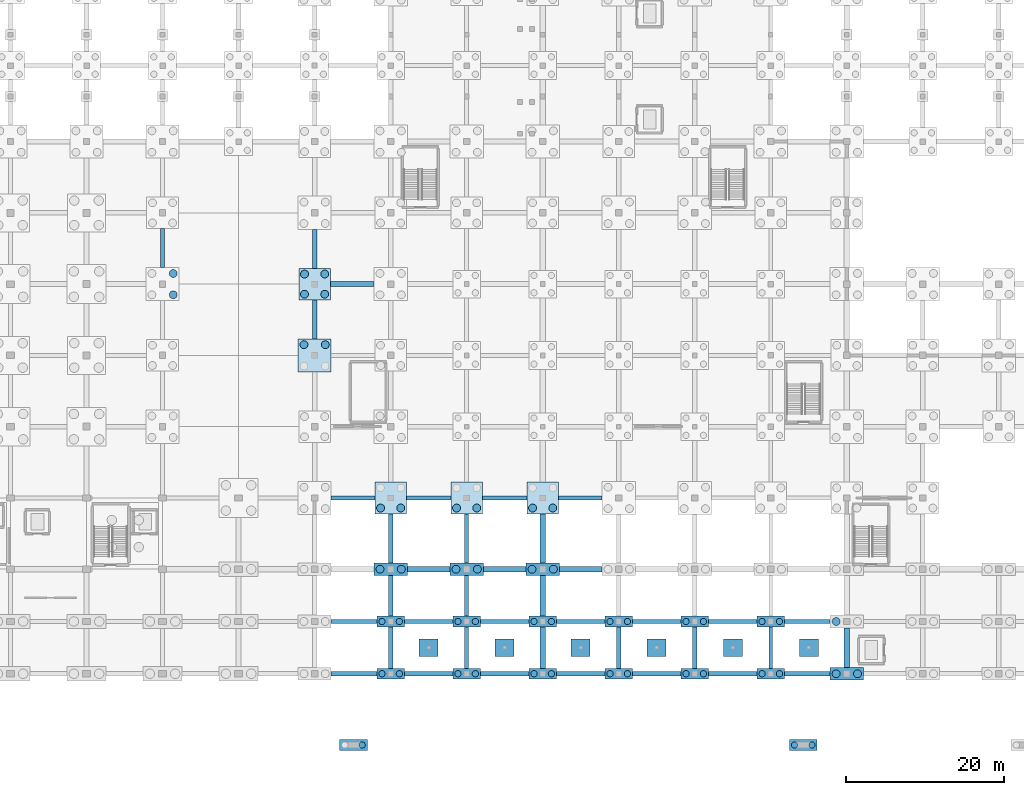
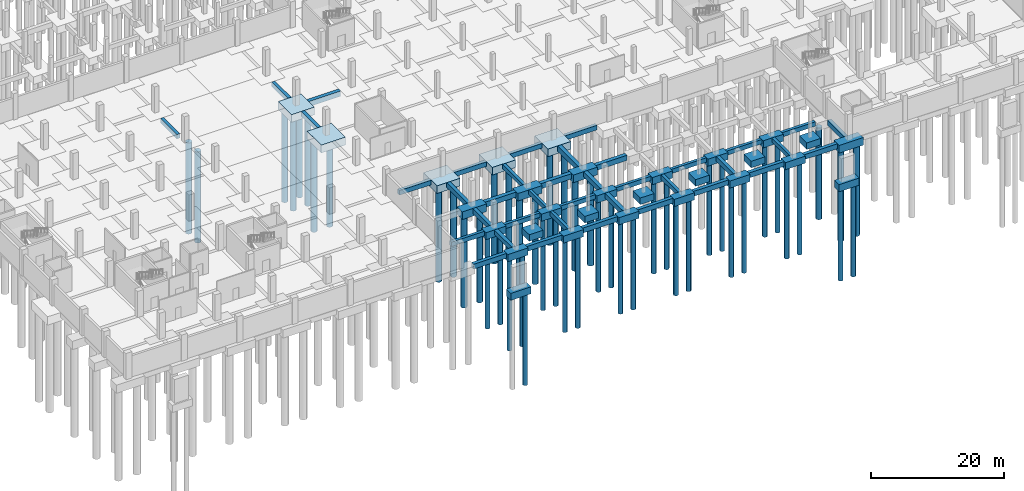
# One storey, part 3 of 39: 67 footings, 50 piles.
"""IFC4 building model written with IfcOpenShell, lengths in metres."""

from ifc_helpers import new_model, si_unit, direction, frame, origin, origin_2d, place, context, subcontext, project, spatial, polyline, rectangle, circle, outline, extrude, material, material_profile, profile_set, type_object, element, save


model = new_model("IFC4")

# Units and contexts
model_context = context("Model", 3, precision=1e-05, world=origin(), true_north=direction((0.0, 1.0)))
body_context = subcontext(model_context, "Body", "Model", "MODEL_VIEW")
ifc_project = project(units=[si_unit("LENGTHUNIT", "METRE"), si_unit("AREAUNIT", "SQUARE_METRE"), si_unit("VOLUMEUNIT", "CUBIC_METRE"), si_unit("PLANEANGLEUNIT", "RADIAN"), si_unit("MASSUNIT", "GRAM", prefix="KILO")], contexts=[model_context])

# Site, building, storey
site_placement = place(None, origin())
site = spatial("IfcSite", under=ifc_project, at=site_placement, CompositionType="ELEMENT")
building_placement = place(site_placement, origin())
building = spatial("IfcBuilding", under=site, at=building_placement, Name="Zarnetskaya Central Station", CompositionType="ELEMENT")
storey_placement = place(building_placement, frame((0.0, 0.0, -4.800048828125)))
storey = spatial("IfcBuildingStorey", under=building, at=storey_placement, Name="B1", CompositionType="ELEMENT", Elevation=-4.800048828125)

# Footings
ifc_material_1 = material(Name="Concrete C30/37", Category="concrete")
footing_type_1 = type_object("IfcFootingType", Name="FB-500x800", PredefinedType="FOOTING_BEAM", material=ifc_material_1)
footing_1_placement = place(storey_placement, frame((0.0, 0.0, -0.800048828125)))
element("IfcFooting", 1, at=footing_1_placement, inside=storey, type_object=footing_type_1, Name="Footing tie beam 2 G-H", PredefinedType="FOOTING_BEAM", context=body_context, shape_type="SweptSolid", body=[
    extrude(outline(polyline([(59.699951171875, 6.35009765625), (65.449951171875, 6.35009765625), (65.449951171875, 6.85009765625), (59.699951171875, 6.85009765625), (59.699951171875, 6.35009765625)])), origin(), (0.0, 0.0, 1.0), 0.800048828125),
])
footing_2_placement = place(storey_placement, frame((0.0, 0.0, -0.800048828125)))
element("IfcFooting", 2, at=footing_2_placement, inside=storey, type_object=footing_type_1, Name="Footing tie beam 2 H-J", PredefinedType="FOOTING_BEAM", context=body_context, shape_type="SweptSolid", body=[
    extrude(outline(polyline([(68.949951171875, 6.35009765625), (75.050048828125, 6.35009765625), (75.050048828125, 6.85009765625), (68.949951171875, 6.85009765625), (68.949951171875, 6.35009765625)])), origin(), (0.0, 0.0, 1.0), 0.800048828125),
])
footing_3_placement = place(storey_placement, frame((0.0, 0.0, -0.800048828125)))
element("IfcFooting", 3, at=footing_3_placement, inside=storey, type_object=footing_type_1, Name="Footing tie beam 2 J-K", PredefinedType="FOOTING_BEAM", context=body_context, shape_type="SweptSolid", body=[
    extrude(outline(polyline([(78.550048828125, 6.35009765625), (84.64990234375, 6.35009765625), (84.64990234375, 6.85009765625), (78.550048828125, 6.85009765625), (78.550048828125, 6.35009765625)])), origin(), (0.0, 0.0, 1.0), 0.800048828125),
])
footing_4_placement = place(storey_placement, frame((0.0, 0.0, -0.800048828125)))
element("IfcFooting", 4, at=footing_4_placement, inside=storey, type_object=footing_type_1, Name="Footing tie beam 2 K-L", PredefinedType="FOOTING_BEAM", context=body_context, shape_type="SweptSolid", body=[
    extrude(outline(polyline([(88.14990234375, 6.35009765625), (94.25, 6.35009765625), (94.25, 6.85009765625), (88.14990234375, 6.85009765625), (88.14990234375, 6.35009765625)])), origin(), (0.0, 0.0, 1.0), 0.800048828125),
])
footing_5_placement = place(storey_placement, frame((0.0, 0.0, -0.800048828125)))
element("IfcFooting", 5, at=footing_5_placement, inside=storey, type_object=footing_type_1, Name="Footing tie beam 2 L-M", PredefinedType="FOOTING_BEAM", context=body_context, shape_type="SweptSolid", body=[
    extrude(outline(polyline([(97.75, 6.35009765625), (103.85009765625, 6.35009765625), (103.85009765625, 6.85009765625), (97.75, 6.85009765625), (97.75, 6.35009765625)])), origin(), (0.0, 0.0, 1.0), 0.800048828125),
])
footing_6_placement = place(storey_placement, frame((0.0, 0.0, -0.800048828125)))
element("IfcFooting", 6, at=footing_6_placement, inside=storey, type_object=footing_type_1, Name="Footing tie beam 2 M-N", PredefinedType="FOOTING_BEAM", context=body_context, shape_type="SweptSolid", body=[
    extrude(outline(polyline([(107.35009765625, 6.35009765625), (113.449951171875, 6.35009765625), (113.449951171875, 6.85009765625), (107.35009765625, 6.85009765625), (107.35009765625, 6.35009765625)])), origin(), (0.0, 0.0, 1.0), 0.800048828125),
])
footing_7_placement = place(storey_placement, frame((0.0, 0.0, -0.800048828125)))
element("IfcFooting", 7, at=footing_7_placement, inside=storey, type_object=footing_type_1, Name="Footing tie beam 2 N-P", PredefinedType="FOOTING_BEAM", context=body_context, shape_type="SweptSolid", body=[
    extrude(outline(polyline([(116.949951171875, 6.35009765625), (122.699951171875, 6.35009765625), (122.699951171875, 6.85009765625), (116.949951171875, 6.85009765625), (116.949951171875, 6.35009765625)])), origin(), (0.0, 0.0, 1.0), 0.800048828125),
])
footing_8_placement = place(storey_placement, frame((0.0, 0.0, -0.800048828125)))
element("IfcFooting", 8, at=footing_8_placement, inside=storey, type_object=footing_type_1, Name="Footing tie beam E 7-8", PredefinedType="FOOTING_BEAM", context=body_context, shape_type="SweptSolid", body=[
    extrude(outline(polyline([(38.14990234375, 51.300048828125), (38.64990234375, 51.300048828125), (38.64990234375, 56.199951171875), (38.14990234375, 56.199951171875), (38.14990234375, 51.300048828125)])), origin(), (0.0, 0.0, 1.0), 0.800048828125),
])
footing_9_placement = place(storey_placement, frame((0.0, 0.0, -0.800048828125)))
element("IfcFooting", 9, at=footing_9_placement, inside=storey, type_object=footing_type_1, Name="Footing tie beam J 1-2", PredefinedType="FOOTING_BEAM", context=body_context, shape_type="SweptSolid", body=[
    extrude(outline(polyline([(76.550048828125, 0.675048828125), (77.050048828125, 0.675048828125), (77.050048828125, 5.925048828125), (76.550048828125, 5.925048828125), (76.550048828125, 0.675048828125)])), origin(), (0.0, 0.0, 1.0), 0.800048828125),
])
footing_10_placement = place(storey_placement, frame((0.0, 0.0, -0.800048828125)))
element("IfcFooting", 10, at=footing_10_placement, inside=storey, type_object=footing_type_1, Name="Footing tie beam J 2-3", PredefinedType="FOOTING_BEAM", context=body_context, shape_type="SweptSolid", body=[
    extrude(outline(polyline([(76.550048828125, 7.27490234375), (77.050048828125, 7.27490234375), (77.050048828125, 12.39990234375), (76.550048828125, 12.39990234375), (76.550048828125, 7.27490234375)])), origin(), (0.0, 0.0, 1.0), 0.800048828125),
])
footing_11_placement = place(storey_placement, frame((0.0, 0.0, -0.800048828125)))
element("IfcFooting", 11, at=footing_11_placement, inside=storey, type_object=footing_type_1, Name="Footing tie beam J 3-4", PredefinedType="FOOTING_BEAM", context=body_context, shape_type="SweptSolid", body=[
    extrude(outline(polyline([(76.550048828125, 14.0), (77.050048828125, 14.0), (77.050048828125, 20.199951171875), (76.550048828125, 20.199951171875), (76.550048828125, 14.0)])), origin(), (0.0, 0.0, 1.0), 0.800048828125),
])
footing_12_placement = place(storey_placement, frame((0.0, 0.0, -0.800048828125)))
element("IfcFooting", 12, at=footing_12_placement, inside=storey, type_object=footing_type_1, Name="Footing tie beam N 1-2", PredefinedType="FOOTING_BEAM", context=body_context, shape_type="SweptSolid", body=[
    extrude(outline(polyline([(114.949951171875, 0.675048828125), (115.449951171875, 0.675048828125), (115.449951171875, 5.925048828125), (114.949951171875, 5.925048828125), (114.949951171875, 0.675048828125)])), origin(), (0.0, 0.0, 1.0), 0.800048828125),
])
footing_type_2 = type_object("IfcFootingType", Name="FB-550x850", PredefinedType="FOOTING_BEAM", material=ifc_material_1)
footing_13_placement = place(storey_placement, frame((0.0, 0.0, -0.849853515625)))
element("IfcFooting", 13, at=footing_13_placement, inside=storey, type_object=footing_type_2, Name="Footing tie beam 4 G-H", PredefinedType="FOOTING_BEAM", context=body_context, shape_type="SweptSolid", body=[
    extrude(outline(polyline([(59.699951171875, 21.925048828125), (65.199951171875, 21.925048828125), (65.199951171875, 22.47509765625), (59.699951171875, 22.47509765625), (59.699951171875, 21.925048828125)])), origin(), (0.0, 0.0, 1.0), 0.849853515625),
])
footing_14_placement = place(storey_placement, frame((0.0, 0.0, -0.849853515625)))
element("IfcFooting", 14, at=footing_14_placement, inside=storey, type_object=footing_type_2, Name="Footing tie beam 4 H-J", PredefinedType="FOOTING_BEAM", context=body_context, shape_type="SweptSolid", body=[
    extrude(outline(polyline([(69.199951171875, 21.925048828125), (74.800048828125, 21.925048828125), (74.800048828125, 22.47509765625), (69.199951171875, 22.47509765625), (69.199951171875, 21.925048828125)])), origin(), (0.0, 0.0, 1.0), 0.849853515625),
])
footing_15_placement = place(storey_placement, frame((0.0, 0.0, -0.849853515625)))
element("IfcFooting", 15, at=footing_15_placement, inside=storey, type_object=footing_type_2, Name="Footing tie beam 4 J-K", PredefinedType="FOOTING_BEAM", context=body_context, shape_type="SweptSolid", body=[
    extrude(outline(polyline([(78.800048828125, 21.925048828125), (84.39990234375, 21.925048828125), (84.39990234375, 22.47509765625), (78.800048828125, 22.47509765625), (78.800048828125, 21.925048828125)])), origin(), (0.0, 0.0, 1.0), 0.849853515625),
])
footing_16_placement = place(storey_placement, frame((0.0, 0.0, -0.849853515625)))
element("IfcFooting", 16, at=footing_16_placement, inside=storey, type_object=footing_type_2, Name="Footing tie beam 4 K-L", PredefinedType="FOOTING_BEAM", context=body_context, shape_type="SweptSolid", body=[
    extrude(outline(polyline([(88.39990234375, 21.925048828125), (93.89990234375, 21.925048828125), (93.89990234375, 22.47509765625), (88.39990234375, 22.47509765625), (88.39990234375, 21.925048828125)])), origin(), (0.0, 0.0, 1.0), 0.849853515625),
])
footing_17_placement = place(storey_placement, frame((0.0, 0.0, -0.849853515625)))
element("IfcFooting", 17, at=footing_17_placement, inside=storey, type_object=footing_type_2, Name="Footing tie beam G 6-7", PredefinedType="FOOTING_BEAM", context=body_context, shape_type="SweptSolid", body=[
    extrude(outline(polyline([(57.324951171875, 42.300048828125), (57.875, 42.300048828125), (57.875, 47.199951171875), (57.324951171875, 47.199951171875), (57.324951171875, 42.300048828125)])), origin(), (0.0, 0.0, 1.0), 0.849853515625),
])
footing_18_placement = place(storey_placement, frame((0.0, 0.0, -0.849853515625)))
element("IfcFooting", 18, at=footing_18_placement, inside=storey, type_object=footing_type_2, Name="Footing tie beam G 7-8", PredefinedType="FOOTING_BEAM", context=body_context, shape_type="SweptSolid", body=[
    extrude(outline(polyline([(57.324951171875, 51.199951171875), (57.875, 51.199951171875), (57.875, 56.10009765625), (57.324951171875, 56.10009765625), (57.324951171875, 51.199951171875)])), origin(), (0.0, 0.0, 1.0), 0.849853515625),
])
footing_19_placement = place(storey_placement, frame((0.0, 0.0, -0.849853515625)))
element("IfcFooting", 19, at=footing_19_placement, inside=storey, type_object=footing_type_2, Name="Footing tie beam L 1-2", PredefinedType="FOOTING_BEAM", context=body_context, shape_type="SweptSolid", body=[
    extrude(outline(polyline([(95.72509765625, 0.675048828125), (96.27490234375, 0.675048828125), (96.27490234375, 5.925048828125), (95.72509765625, 5.925048828125), (95.72509765625, 0.675048828125)])), origin(), (0.0, 0.0, 1.0), 0.849853515625),
])
footing_type_3 = type_object("IfcFootingType", Name="FB-600x900", PredefinedType="FOOTING_BEAM", material=ifc_material_1)
footing_20_placement = place(storey_placement, frame((0.0, 0.0, -0.89990234375)))
element("IfcFooting", 20, at=footing_20_placement, inside=storey, type_object=footing_type_3, Name="Footing tie beam 1 G-H", PredefinedType="FOOTING_BEAM", context=body_context, shape_type="SweptSolid", body=[
    extrude(outline(polyline([(59.699951171875, -0.300048828125), (65.449951171875, -0.300048828125), (65.449951171875, 0.300048828125), (59.699951171875, 0.300048828125), (59.699951171875, -0.300048828125)])), origin(), (0.0, 0.0, 1.0), 0.89990234375),
])
footing_21_placement = place(storey_placement, frame((0.0, 0.0, -0.89990234375)))
element("IfcFooting", 21, at=footing_21_placement, inside=storey, type_object=footing_type_3, Name="Footing tie beam 1 H-J", PredefinedType="FOOTING_BEAM", context=body_context, shape_type="SweptSolid", body=[
    extrude(outline(polyline([(68.949951171875, -0.300048828125), (75.050048828125, -0.300048828125), (75.050048828125, 0.300048828125), (68.949951171875, 0.300048828125), (68.949951171875, -0.300048828125)])), origin(), (0.0, 0.0, 1.0), 0.89990234375),
])
footing_22_placement = place(storey_placement, frame((0.0, 0.0, -0.89990234375)))
element("IfcFooting", 22, at=footing_22_placement, inside=storey, type_object=footing_type_3, Name="Footing tie beam 1 J-K", PredefinedType="FOOTING_BEAM", context=body_context, shape_type="SweptSolid", body=[
    extrude(outline(polyline([(78.550048828125, -0.300048828125), (84.64990234375, -0.300048828125), (84.64990234375, 0.300048828125), (78.550048828125, 0.300048828125), (78.550048828125, -0.300048828125)])), origin(), (0.0, 0.0, 1.0), 0.89990234375),
])
footing_23_placement = place(storey_placement, frame((0.0, 0.0, -0.89990234375)))
element("IfcFooting", 23, at=footing_23_placement, inside=storey, type_object=footing_type_3, Name="Footing tie beam 1 K-L", PredefinedType="FOOTING_BEAM", context=body_context, shape_type="SweptSolid", body=[
    extrude(outline(polyline([(88.14990234375, -0.300048828125), (94.25, -0.300048828125), (94.25, 0.300048828125), (88.14990234375, 0.300048828125), (88.14990234375, -0.300048828125)])), origin(), (0.0, 0.0, 1.0), 0.89990234375),
])
footing_24_placement = place(storey_placement, frame((0.0, 0.0, -0.89990234375)))
element("IfcFooting", 24, at=footing_24_placement, inside=storey, type_object=footing_type_3, Name="Footing tie beam 1 L-M", PredefinedType="FOOTING_BEAM", context=body_context, shape_type="SweptSolid", body=[
    extrude(outline(polyline([(97.75, -0.300048828125), (103.85009765625, -0.300048828125), (103.85009765625, 0.300048828125), (97.75, 0.300048828125), (97.75, -0.300048828125)])), origin(), (0.0, 0.0, 1.0), 0.89990234375),
])
footing_25_placement = place(storey_placement, frame((0.0, 0.0, -0.89990234375)))
element("IfcFooting", 25, at=footing_25_placement, inside=storey, type_object=footing_type_3, Name="Footing tie beam 1 M-N", PredefinedType="FOOTING_BEAM", context=body_context, shape_type="SweptSolid", body=[
    extrude(outline(polyline([(107.35009765625, -0.300048828125), (113.449951171875, -0.300048828125), (113.449951171875, 0.300048828125), (107.35009765625, 0.300048828125), (107.35009765625, -0.300048828125)])), origin(), (0.0, 0.0, 1.0), 0.89990234375),
])
footing_26_placement = place(storey_placement, frame((0.0, 0.0, -0.89990234375)))
element("IfcFooting", 26, at=footing_26_placement, inside=storey, type_object=footing_type_3, Name="Footing tie beam 1 N-P", PredefinedType="FOOTING_BEAM", context=body_context, shape_type="SweptSolid", body=[
    extrude(outline(polyline([(116.949951171875, -0.300048828125), (122.699951171875, -0.300048828125), (122.699951171875, 0.300048828125), (116.949951171875, 0.300048828125), (116.949951171875, -0.300048828125)])), origin(), (0.0, 0.0, 1.0), 0.89990234375),
])
footing_27_placement = place(storey_placement, frame((0.0, 0.0, -0.89990234375)))
element("IfcFooting", 27, at=footing_27_placement, inside=storey, type_object=footing_type_3, Name="Footing tie beam H 1-2", PredefinedType="FOOTING_BEAM", context=body_context, shape_type="SweptSolid", body=[
    extrude(outline(polyline([(66.89990234375, 0.675048828125), (67.5, 0.675048828125), (67.5, 5.925048828125), (66.89990234375, 5.925048828125), (66.89990234375, 0.675048828125)])), origin(), (0.0, 0.0, 1.0), 0.89990234375),
])
footing_28_placement = place(storey_placement, frame((0.0, 0.0, -0.89990234375)))
element("IfcFooting", 28, at=footing_28_placement, inside=storey, type_object=footing_type_3, Name="Footing tie beam H 2-3", PredefinedType="FOOTING_BEAM", context=body_context, shape_type="SweptSolid", body=[
    extrude(outline(polyline([(66.89990234375, 7.27490234375), (67.5, 7.27490234375), (67.5, 12.39990234375), (66.89990234375, 12.39990234375), (66.89990234375, 7.27490234375)])), origin(), (0.0, 0.0, 1.0), 0.89990234375),
])
footing_29_placement = place(storey_placement, frame((0.0, 0.0, -0.89990234375)))
element("IfcFooting", 29, at=footing_29_placement, inside=storey, type_object=footing_type_3, Name="Footing tie beam H 3-4", PredefinedType="FOOTING_BEAM", context=body_context, shape_type="SweptSolid", body=[
    extrude(outline(polyline([(66.89990234375, 14.0), (67.5, 14.0), (67.5, 20.199951171875), (66.89990234375, 20.199951171875), (66.89990234375, 14.0)])), origin(), (0.0, 0.0, 1.0), 0.89990234375),
])
footing_30_placement = place(storey_placement, frame((0.0, 0.0, -0.89990234375)))
element("IfcFooting", 30, at=footing_30_placement, inside=storey, type_object=footing_type_3, Name="Footing tie beam M 1-2", PredefinedType="FOOTING_BEAM", context=body_context, shape_type="SweptSolid", body=[
    extrude(outline(polyline([(105.300048828125, 0.675048828125), (105.89990234375, 0.675048828125), (105.89990234375, 5.925048828125), (105.300048828125, 5.925048828125), (105.300048828125, 0.675048828125)])), origin(), (0.0, 0.0, 1.0), 0.89990234375),
])
footing_type_4 = type_object("IfcFootingType", Name="FB-650x950", PredefinedType="FOOTING_BEAM", material=ifc_material_1)
footing_31_placement = place(storey_placement, frame((0.0, 0.0, -0.949951171875)))
element("IfcFooting", 31, at=footing_31_placement, inside=storey, type_object=footing_type_4, Name="Footing tie beam 3 H-J", PredefinedType="FOOTING_BEAM", context=body_context, shape_type="SweptSolid", body=[
    extrude(outline(polyline([(69.300048828125, 12.875), (74.699951171875, 12.875), (74.699951171875, 13.52490234375), (69.300048828125, 13.52490234375), (69.300048828125, 12.875)])), origin(), (0.0, 0.0, 1.0), 0.949951171875),
])
footing_32_placement = place(storey_placement, frame((0.0, 0.0, -0.949951171875)))
element("IfcFooting", 32, at=footing_32_placement, inside=storey, type_object=footing_type_4, Name="Footing tie beam 3 J-K", PredefinedType="FOOTING_BEAM", context=body_context, shape_type="SweptSolid", body=[
    extrude(outline(polyline([(78.89990234375, 12.875), (84.300048828125, 12.875), (84.300048828125, 13.52490234375), (78.89990234375, 13.52490234375), (78.89990234375, 12.875)])), origin(), (0.0, 0.0, 1.0), 0.949951171875),
])
footing_33_placement = place(storey_placement, frame((0.0, 0.0, -0.949951171875)))
element("IfcFooting", 33, at=footing_33_placement, inside=storey, type_object=footing_type_4, Name="Footing tie beam 3 K-L", PredefinedType="FOOTING_BEAM", context=body_context, shape_type="SweptSolid", body=[
    extrude(outline(polyline([(88.5, 12.875), (93.89990234375, 12.875), (93.89990234375, 13.52490234375), (88.5, 13.52490234375), (88.5, 12.875)])), origin(), (0.0, 0.0, 1.0), 0.949951171875),
])
footing_34_placement = place(storey_placement, frame((0.0, 0.0, -0.949951171875)))
element("IfcFooting", 34, at=footing_34_placement, inside=storey, type_object=footing_type_4, Name="Footing tie beam 7 G-H", PredefinedType="FOOTING_BEAM", context=body_context, shape_type="SweptSolid", body=[
    extrude(outline(polyline([(59.60009765625, 48.875), (65.10009765625, 48.875), (65.10009765625, 49.52490234375), (59.60009765625, 49.52490234375), (59.60009765625, 48.875)])), origin(), (0.0, 0.0, 1.0), 0.949951171875),
])
footing_35_placement = place(storey_placement, frame((0.0, 0.0, -0.949951171875)))
element("IfcFooting", 35, at=footing_35_placement, inside=storey, type_object=footing_type_4, Name="Footing tie beam K 1-2", PredefinedType="FOOTING_BEAM", context=body_context, shape_type="SweptSolid", body=[
    extrude(outline(polyline([(86.074951171875, 0.675048828125), (86.72509765625, 0.675048828125), (86.72509765625, 5.925048828125), (86.074951171875, 5.925048828125), (86.074951171875, 0.675048828125)])), origin(), (0.0, 0.0, 1.0), 0.949951171875),
])
footing_36_placement = place(storey_placement, frame((0.0, 0.0, -0.949951171875)))
element("IfcFooting", 36, at=footing_36_placement, inside=storey, type_object=footing_type_4, Name="Footing tie beam K 2-3", PredefinedType="FOOTING_BEAM", context=body_context, shape_type="SweptSolid", body=[
    extrude(outline(polyline([(86.074951171875, 7.27490234375), (86.72509765625, 7.27490234375), (86.72509765625, 12.39990234375), (86.074951171875, 12.39990234375), (86.074951171875, 7.27490234375)])), origin(), (0.0, 0.0, 1.0), 0.949951171875),
])
footing_37_placement = place(storey_placement, frame((0.0, 0.0, -0.949951171875)))
element("IfcFooting", 37, at=footing_37_placement, inside=storey, type_object=footing_type_4, Name="Footing tie beam K 3-4", PredefinedType="FOOTING_BEAM", context=body_context, shape_type="SweptSolid", body=[
    extrude(outline(polyline([(86.074951171875, 14.0), (86.72509765625, 14.0), (86.72509765625, 20.199951171875), (86.074951171875, 20.199951171875), (86.074951171875, 14.0)])), origin(), (0.0, 0.0, 1.0), 0.949951171875),
])
footing_38_placement = place(storey_placement, frame((0.0, 0.0, -0.949951171875)))
element("IfcFooting", 38, at=footing_38_placement, inside=storey, type_object=footing_type_4, Name="Footing tie beam P 1-2", PredefinedType="FOOTING_BEAM", context=body_context, shape_type="SweptSolid", body=[
    extrude(outline(polyline([(124.47509765625, 0.800048828125), (125.125, 0.800048828125), (125.125, 5.800048828125), (124.47509765625, 5.800048828125), (124.47509765625, 0.800048828125)])), origin(), (0.0, 0.0, 1.0), 0.949951171875),
])
ifc_material_2 = material(Name="Concrete C35/45", Category="concrete")
footing_type_5 = type_object("IfcFootingType", Name="PAD-RAMP-220", PredefinedType="PAD_FOOTING", material=ifc_material_2)
for number, where, z_axis, x_axis, name in (
    (39, (72.0, 3.300048828125, -1.19970703125), (0.0, 0.0, 1.0), (1.0, 0.0, 0.0), "Colonnade pilaster pad footing 1"),
    (40, (81.60009765625, 3.300048828125, -1.19970703125), (0.0, 0.0, 1.0), (1.0, 0.0, 0.0), "Colonnade pilaster pad footing 2"),
    (41, (91.199951171875, 3.300048828125, -1.19970703125), (0.0, 0.0, 1.0), (1.0, 0.0, 0.0), "Colonnade pilaster pad footing 3"),
    (42, (100.800048828125, 3.300048828125, -1.19970703125), (0.0, 0.0, 1.0), (1.0, 0.0, 0.0), "Colonnade pilaster pad footing 4"),
    (43, (110.39990234375, 3.300048828125, -1.19970703125), (0.0, 0.0, 1.0), (1.0, 0.0, 0.0), "Colonnade pilaster pad footing 5"),
    (44, (120.0, 3.300048828125, -1.19970703125), (0.0, 0.0, 1.0), (1.0, 0.0, 0.0), "Colonnade pilaster pad footing 6"),
):
    element("IfcFooting", number, at=place(storey_placement, frame(where, z_axis=z_axis, x_axis=x_axis)), inside=storey, type_object=footing_type_5, Name=name, PredefinedType="PAD_FOOTING", context=body_context, shape_type="SweptSolid", body=[
        extrude(rectangle(XDim=2.39990234375, YDim=2.199951171875, at=origin_2d()), origin(), (0.0, 0.0, 1.0), 1.199951171875),
    ])
footing_type_6 = type_object("IfcFootingType", Name="PC-2P-1000X", PredefinedType="PILE_CAP", material=ifc_material_2)
for number, where, z_axis, x_axis, name in (
    (45, (67.199951171875, 13.199951171875, -1.39990234375), (0.0, 0.0, 1.0), (1.0, 0.0, 0.0), "Pile cap H3"),
    (46, (76.800048828125, 13.199951171875, -1.39990234375), (0.0, 0.0, 1.0), (1.0, 0.0, 0.0), "Pile cap J3"),
    (47, (86.39990234375, 13.199951171875, -1.39990234375), (0.0, 0.0, 1.0), (1.0, 0.0, 0.0), "Pile cap K3"),
    (48, (124.800048828125, 0.0, -1.39990234375), (0.0, 0.0, 1.0), (1.0, 0.0, 0.0), "Pile cap P1"),
):
    element("IfcFooting", number, at=place(storey_placement, frame(where, z_axis=z_axis, x_axis=x_axis)), inside=storey, type_object=footing_type_6, Name=name, PredefinedType="PILE_CAP", context=body_context, shape_type="SweptSolid", body=[
        extrude(rectangle(XDim=4.199951171875, YDim=1.60009765625, at=origin_2d()), origin(), (0.0, 0.0, 1.0), 1.39990234375),
    ])
footing_type_7 = type_object("IfcFootingType", Name="PC-2P-800X", PredefinedType="PILE_CAP", material=ifc_material_2)
for number, where, z_axis, x_axis, name in (
    (49, (62.5, -9.0, -1.2998046875), (0.0, 0.0, 1.0), (1.0, 0.0, 0.0), "Ramp pier two-pile cap RM-02"),
    (50, (119.300048828125, -9.0, -1.2998046875), (0.0, 0.0, 1.0), (1.0, 0.0, 0.0), "Ramp pier two-pile cap RM-03"),
    (51, (67.199951171875, 0.0, -1.2998046875), (0.0, 0.0, 1.0), (1.0, 0.0, 0.0), "Pile cap H1"),
    (52, (67.199951171875, 6.60009765625, -1.2998046875), (0.0, 0.0, 1.0), (1.0, 0.0, 0.0), "Pile cap H2"),
    (53, (76.800048828125, 0.0, -1.2998046875), (0.0, 0.0, 1.0), (1.0, 0.0, 0.0), "Pile cap J1"),
    (54, (76.800048828125, 6.60009765625, -1.2998046875), (0.0, 0.0, 1.0), (1.0, 0.0, 0.0), "Pile cap J2"),
    (55, (86.39990234375, 0.0, -1.2998046875), (0.0, 0.0, 1.0), (1.0, 0.0, 0.0), "Pile cap K1"),
    (56, (86.39990234375, 6.60009765625, -1.2998046875), (0.0, 0.0, 1.0), (1.0, 0.0, 0.0), "Pile cap K2"),
    (57, (96.0, 0.0, -1.2998046875), (0.0, 0.0, 1.0), (1.0, 0.0, 0.0), "Pile cap L1"),
    (58, (96.0, 6.60009765625, -1.2998046875), (0.0, 0.0, 1.0), (1.0, 0.0, 0.0), "Pile cap L2"),
    (59, (105.60009765625, 0.0, -1.2998046875), (0.0, 0.0, 1.0), (1.0, 0.0, 0.0), "Pile cap M1"),
    (60, (105.60009765625, 6.60009765625, -1.2998046875), (0.0, 0.0, 1.0), (1.0, 0.0, 0.0), "Pile cap M2"),
    (61, (115.199951171875, 0.0, -1.2998046875), (0.0, 0.0, 1.0), (1.0, 0.0, 0.0), "Pile cap N1"),
    (62, (115.199951171875, 6.60009765625, -1.2998046875), (0.0, 0.0, 1.0), (1.0, 0.0, 0.0), "Pile cap N2"),
):
    element("IfcFooting", number, at=place(storey_placement, frame(where, z_axis=z_axis, x_axis=x_axis)), inside=storey, type_object=footing_type_7, Name=name, PredefinedType="PILE_CAP", context=body_context, shape_type="SweptSolid", body=[
        extrude(rectangle(XDim=3.5, YDim=1.35009765625, at=origin_2d()), origin(), (0.0, 0.0, 1.0), 1.300048828125),
    ])
footing_type_8 = type_object("IfcFootingType", Name="PC-4P-1000A", PredefinedType="PILE_CAP", material=ifc_material_2)
footing_39_placement = place(storey_placement, frame((57.60009765625, 40.199951171875, -1.44970703125), z_axis=(0.0, 0.0, 1.0), x_axis=(1.0, 0.0, 0.0)))
element("IfcFooting", 63, at=footing_39_placement, inside=storey, type_object=footing_type_8, Name="Pile cap G6", PredefinedType="PILE_CAP", context=body_context, shape_type="SweptSolid", body=[
    extrude(rectangle(XDim=4.199951171875, YDim=4.199951171875, at=origin_2d()), origin(), (0.0, 0.0, 1.0), 1.449951171875),
])
footing_type_9 = type_object("IfcFootingType", Name="PC-4P-1000B", PredefinedType="PILE_CAP", material=ifc_material_2)
for number, where, z_axis, x_axis, name in (
    (64, (57.60009765625, 49.199951171875, -1.39990234375), (0.0, 0.0, 1.0), (1.0, 0.0, 0.0), "Pile cap G7"),
    (65, (67.199951171875, 22.199951171875, -1.39990234375), (0.0, 0.0, 1.0), (1.0, 0.0, 0.0), "Pile cap H4"),
    (66, (76.800048828125, 22.199951171875, -1.39990234375), (0.0, 0.0, 1.0), (1.0, 0.0, 0.0), "Pile cap J4"),
    (67, (86.39990234375, 22.199951171875, -1.39990234375), (0.0, 0.0, 1.0), (1.0, 0.0, 0.0), "Pile cap K4"),
):
    element("IfcFooting", number, at=place(storey_placement, frame(where, z_axis=z_axis, x_axis=x_axis)), inside=storey, type_object=footing_type_9, Name=name, PredefinedType="PILE_CAP", context=body_context, shape_type="SweptSolid", body=[
        extrude(rectangle(XDim=4.0, YDim=4.0, at=origin_2d()), origin(), (0.0, 0.0, 1.0), 1.39990234375),
    ])

# Piles
ifc_material_profile_1 = material_profile(ifc_material_2, circle(Radius=0.5, at=origin_2d()), Name="BORED PILE D1000")
ifc_profile_set_1 = profile_set([ifc_material_profile_1], Name="Concrete C35/45")
pile_type_1 = type_object("IfcPileType", Name="PILE-D1000", PredefinedType="BORED", material=ifc_profile_set_1)
for number, where, z_axis, x_axis, name in (
    (68, (39.75, 47.85009765625, -1.300048828125), (0.0, 0.0, -1.0), (1.0, 0.0, 0.0), "Bored pile E7-21"),
    (69, (39.75, 50.550048828125, -1.300048828125), (0.0, 0.0, -1.0), (1.0, 0.0, 0.0), "Bored pile E7-22"),
    (70, (56.25, 41.550048828125, -1.300048828125), (0.0, 0.0, -1.0), (1.0, 0.0, 0.0), "Bored pile G6-12"),
    (71, (58.949951171875, 41.550048828125, -1.300048828125), (0.0, 0.0, -1.0), (1.0, 0.0, 0.0), "Bored pile G6-22"),
):
    element("IfcPile", number, at=place(storey_placement, frame(where, z_axis=z_axis, x_axis=x_axis)), inside=storey, type_object=pile_type_1, Name=name, PredefinedType="BORED", context=body_context, shape_type="SweptSolid", body=[
        extrude(circle(Radius=0.5, at=origin_2d()), origin(), (0.0, 0.0, 1.0), 16.699951171875),
    ])
for number, where, z_axis, x_axis, name in (
    (72, (56.324951171875, 47.925048828125, -1.25), (0.0, 0.0, -1.0), (1.0, 0.0, 0.0), "Bored pile G7-11"),
    (73, (56.324951171875, 50.47509765625, -1.25), (0.0, 0.0, -1.0), (1.0, 0.0, 0.0), "Bored pile G7-12"),
    (74, (58.875, 47.925048828125, -1.25), (0.0, 0.0, -1.0), (1.0, 0.0, 0.0), "Bored pile G7-21"),
    (75, (58.875, 50.47509765625, -1.25), (0.0, 0.0, -1.0), (1.0, 0.0, 0.0), "Bored pile G7-22"),
    (76, (65.85009765625, 13.199951171875, -1.25), (0.0, 0.0, -1.0), (1.0, 0.0, 0.0), "Bored pile H3-11"),
    (77, (68.550048828125, 13.199951171875, -1.25), (0.0, 0.0, -1.0), (1.0, 0.0, 0.0), "Bored pile H3-21"),
    (78, (65.925048828125, 20.925048828125, -1.25), (0.0, 0.0, -1.0), (1.0, 0.0, 0.0), "Bored pile H4-11"),
    (79, (68.47509765625, 20.925048828125, -1.25), (0.0, 0.0, -1.0), (1.0, 0.0, 0.0), "Bored pile H4-21"),
    (80, (75.449951171875, 13.199951171875, -1.25), (0.0, 0.0, -1.0), (1.0, 0.0, 0.0), "Bored pile J3-11"),
    (81, (78.14990234375, 13.199951171875, -1.25), (0.0, 0.0, -1.0), (1.0, 0.0, 0.0), "Bored pile J3-21"),
    (82, (75.52490234375, 20.925048828125, -1.25), (0.0, 0.0, -1.0), (1.0, 0.0, 0.0), "Bored pile J4-11"),
    (83, (78.074951171875, 20.925048828125, -1.25), (0.0, 0.0, -1.0), (1.0, 0.0, 0.0), "Bored pile J4-21"),
    (84, (85.050048828125, 13.199951171875, -1.25), (0.0, 0.0, -1.0), (1.0, 0.0, 0.0), "Bored pile K3-11"),
    (85, (87.75, 13.199951171875, -1.25), (0.0, 0.0, -1.0), (1.0, 0.0, 0.0), "Bored pile K3-21"),
    (86, (85.125, 20.925048828125, -1.25), (0.0, 0.0, -1.0), (1.0, 0.0, 0.0), "Bored pile K4-11"),
    (87, (87.675048828125, 20.925048828125, -1.25), (0.0, 0.0, -1.0), (1.0, 0.0, 0.0), "Bored pile K4-21"),
    (88, (123.449951171875, 0.0, -1.25), (0.0, 0.0, -1.0), (1.0, 0.0, 0.0), "Bored pile P1-11"),
    (89, (126.14990234375, 0.0, -1.25), (0.0, 0.0, -1.0), (1.0, 0.0, 0.0), "Bored pile P1-21"),
    (90, (123.449951171875, 6.60009765625, -1.25), (0.0, 0.0, -1.0), (1.0, 0.0, 0.0), "Bored pile P2-11"),
):
    element("IfcPile", number, at=place(storey_placement, frame(where, z_axis=z_axis, x_axis=x_axis)), inside=storey, type_object=pile_type_1, Name=name, PredefinedType="BORED", context=body_context, shape_type="SweptSolid", body=[
        extrude(circle(Radius=0.5, at=origin_2d()), origin(), (0.0, 0.0, 1.0), 16.75),
    ])
ifc_material_profile_2 = material_profile(ifc_material_2, circle(Radius=0.39990234375, at=origin_2d()), Name="BORED PILE D800")
ifc_profile_set_2 = profile_set([ifc_material_profile_2], Name="Concrete C35/45")
pile_type_2 = type_object("IfcPileType", Name="PILE-D800", PredefinedType="BORED", material=ifc_profile_set_2)
for number, where, z_axis, x_axis, name in (
    (91, (63.60009765625, -9.0, -1.14990234375), (0.0, 0.0, -1.0), (1.0, 0.0, 0.0), "Ramp pier socketed bored pile RM-02-2"),
    (92, (118.199951171875, -9.0, -1.14990234375), (0.0, 0.0, -1.0), (1.0, 0.0, 0.0), "Ramp pier socketed bored pile RM-03-1"),
    (93, (120.39990234375, -9.0, -1.14990234375), (0.0, 0.0, -1.0), (1.0, 0.0, 0.0), "Ramp pier socketed bored pile RM-03-2"),
    (94, (66.10009765625, 0.0, -1.14990234375), (0.0, 0.0, -1.0), (1.0, 0.0, 0.0), "Bored pile H1-11"),
    (95, (68.300048828125, 0.0, -1.14990234375), (0.0, 0.0, -1.0), (1.0, 0.0, 0.0), "Bored pile H1-21"),
    (96, (66.10009765625, 6.60009765625, -1.14990234375), (0.0, 0.0, -1.0), (1.0, 0.0, 0.0), "Bored pile H2-11"),
    (97, (68.300048828125, 6.60009765625, -1.14990234375), (0.0, 0.0, -1.0), (1.0, 0.0, 0.0), "Bored pile H2-21"),
    (98, (75.699951171875, 0.0, -1.14990234375), (0.0, 0.0, -1.0), (1.0, 0.0, 0.0), "Bored pile J1-11"),
    (99, (77.89990234375, 0.0, -1.14990234375), (0.0, 0.0, -1.0), (1.0, 0.0, 0.0), "Bored pile J1-21"),
    (100, (75.699951171875, 6.60009765625, -1.14990234375), (0.0, 0.0, -1.0), (1.0, 0.0, 0.0), "Bored pile J2-11"),
    (101, (77.89990234375, 6.60009765625, -1.14990234375), (0.0, 0.0, -1.0), (1.0, 0.0, 0.0), "Bored pile J2-21"),
    (102, (85.300048828125, 0.0, -1.14990234375), (0.0, 0.0, -1.0), (1.0, 0.0, 0.0), "Bored pile K1-11"),
    (103, (87.5, 0.0, -1.14990234375), (0.0, 0.0, -1.0), (1.0, 0.0, 0.0), "Bored pile K1-21"),
    (104, (85.300048828125, 6.60009765625, -1.14990234375), (0.0, 0.0, -1.0), (1.0, 0.0, 0.0), "Bored pile K2-11"),
    (105, (87.5, 6.60009765625, -1.14990234375), (0.0, 0.0, -1.0), (1.0, 0.0, 0.0), "Bored pile K2-21"),
    (106, (94.89990234375, 0.0, -1.14990234375), (0.0, 0.0, -1.0), (1.0, 0.0, 0.0), "Bored pile L1-11"),
    (107, (97.10009765625, 0.0, -1.14990234375), (0.0, 0.0, -1.0), (1.0, 0.0, 0.0), "Bored pile L1-21"),
    (108, (94.89990234375, 6.60009765625, -1.14990234375), (0.0, 0.0, -1.0), (1.0, 0.0, 0.0), "Bored pile L2-11"),
    (109, (97.10009765625, 6.60009765625, -1.14990234375), (0.0, 0.0, -1.0), (1.0, 0.0, 0.0), "Bored pile L2-21"),
    (110, (104.5, 0.0, -1.14990234375), (0.0, 0.0, -1.0), (1.0, 0.0, 0.0), "Bored pile M1-11"),
    (111, (106.699951171875, 0.0, -1.14990234375), (0.0, 0.0, -1.0), (1.0, 0.0, 0.0), "Bored pile M1-21"),
    (112, (104.5, 6.60009765625, -1.14990234375), (0.0, 0.0, -1.0), (1.0, 0.0, 0.0), "Bored pile M2-11"),
    (113, (106.699951171875, 6.60009765625, -1.14990234375), (0.0, 0.0, -1.0), (1.0, 0.0, 0.0), "Bored pile M2-21"),
    (114, (114.10009765625, 0.0, -1.14990234375), (0.0, 0.0, -1.0), (1.0, 0.0, 0.0), "Bored pile N1-11"),
    (115, (116.300048828125, 0.0, -1.14990234375), (0.0, 0.0, -1.0), (1.0, 0.0, 0.0), "Bored pile N1-21"),
    (116, (114.10009765625, 6.60009765625, -1.14990234375), (0.0, 0.0, -1.0), (1.0, 0.0, 0.0), "Bored pile N2-11"),
    (117, (116.300048828125, 6.60009765625, -1.14990234375), (0.0, 0.0, -1.0), (1.0, 0.0, 0.0), "Bored pile N2-21"),
):
    element("IfcPile", number, at=place(storey_placement, frame(where, z_axis=z_axis, x_axis=x_axis)), inside=storey, type_object=pile_type_2, Name=name, PredefinedType="BORED", context=body_context, shape_type="SweptSolid", body=[
        extrude(circle(Radius=0.39990234375, at=origin_2d()), origin(), (0.0, 0.0, 1.0), 16.85009765625),
    ])

save(model, "model.ifc")
